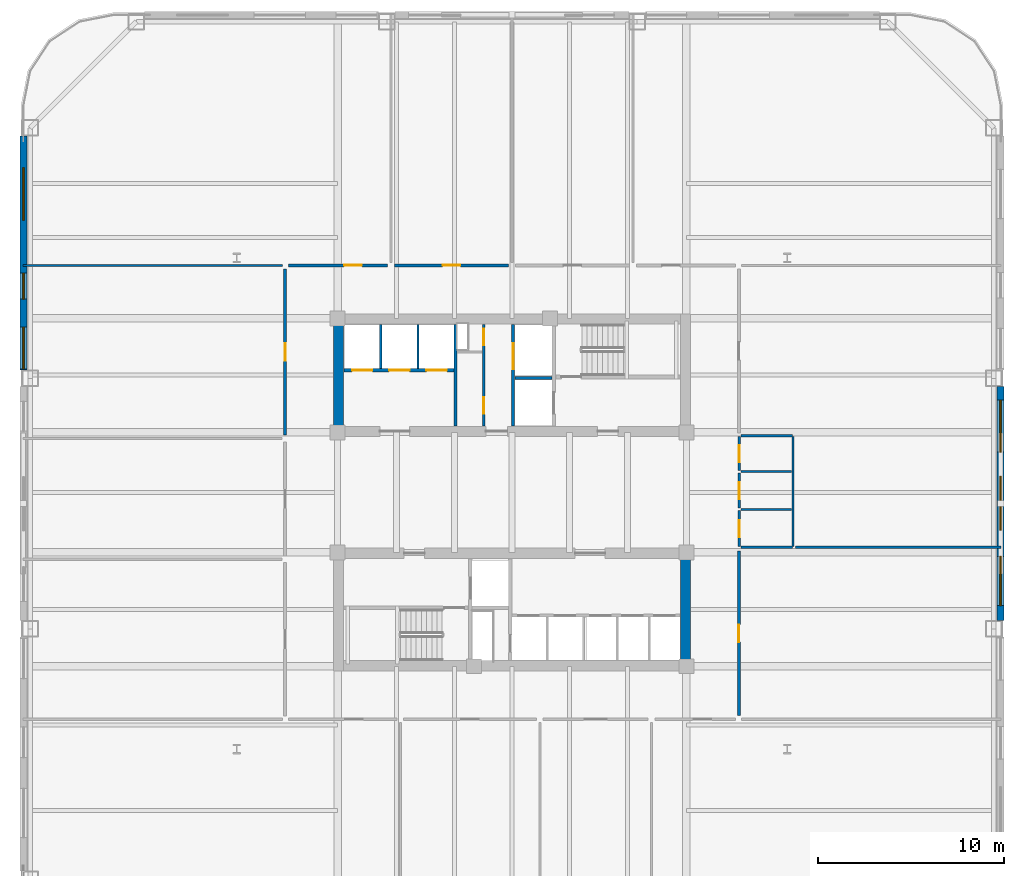
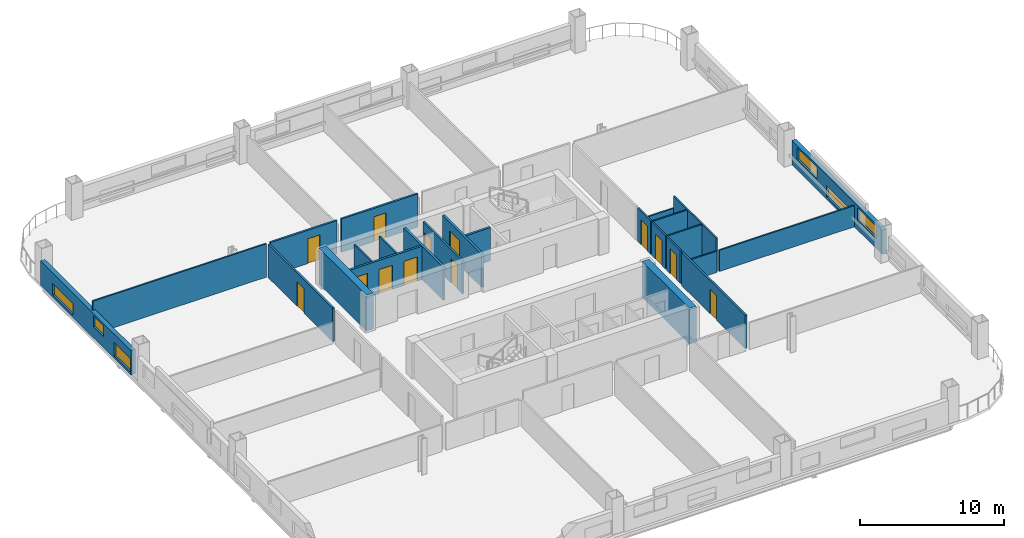
# One storey, part 4 of 12: 25 walls, 13 doors, 6 windows, 19 openings.
"""IFC4 building model written with IfcOpenShell, lengths in metres."""

from ifc_helpers import new_model, si_unit, direction, frame, frame_2d, origin, place, context, subcontext, project, spatial, rectangle, extrude, material, layer, layer_set, type_object, element, fill, save


model = new_model("IFC4")

# Units and contexts
model_context = context("Model", 3, precision=1e-05, world=origin(), true_north=direction((0.0, 1.0)))
body_context = subcontext(model_context, "Body", "Model", "MODEL_VIEW")
ifc_project = project(units=[si_unit("LENGTHUNIT", "METRE"), si_unit("AREAUNIT", "SQUARE_METRE"), si_unit("VOLUMEUNIT", "CUBIC_METRE"), si_unit("PLANEANGLEUNIT", "RADIAN"), si_unit("MASSUNIT", "GRAM", prefix="KILO")], contexts=[model_context])

# Site, building, storey
site_placement = place(None, origin())
site = spatial("IfcSite", under=ifc_project, at=site_placement, CompositionType="ELEMENT")
building_placement = place(site_placement, origin())
building = spatial("IfcBuilding", under=site, at=building_placement, Name="Qhalaya Broadcast Tower", CompositionType="ELEMENT")
storey_placement = place(building_placement, frame((0.0, 0.0, 47.449951171875)))
storey = spatial("IfcBuildingStorey", under=building, at=storey_placement, Name="L13", CompositionType="ELEMENT", Elevation=47.449951171875)

# Wall, openings, doors
ifc_material_1 = material(Name="Gypsum Acoustic Partition")
ifc_layer_1 = layer(ifc_material_1, 0.14990234375, Name="Gypsum Acoustic Partition")
ifc_layer_set_1 = layer_set([ifc_layer_1], Name="Gypsum Acoustic Partition")
wall_type_1 = type_object("IfcWallType", Name="Corridor & Tenancy Acoustic Partition 150", PredefinedType="PARTITIONING", material=ifc_layer_set_1)
wall_1_placement = place(storey_placement, frame((-1.52001953125, 4.169921875, 0.0), z_axis=(0.0, 0.0, 1.0), x_axis=(0.0, 1.0, 0.0)))
wall_1 = element("IfcWall", 1, at=wall_1_placement, inside=storey, type_object=wall_type_1, Name="L13 Partition Wall NCW-SVL", PredefinedType="PARTITIONING", context=body_context, shape_type="SweptSolid", body=[
    extrude(rectangle(XDim=5.4599609375, YDim=0.14990234375, at=frame_2d((2.72998046875, 0.0))), origin(), (0.0, 0.0, 1.0), 2.830078125),
])
opening_1_placement = place(wall_1_placement, frame((4.330078125, 0.0, 0.0)))
opening_1 = element("IfcOpeningElement", 2, at=opening_1_placement, cuts=wall_1, Name="Opening D06", PredefinedType="OPENING", context=body_context, shape_type="SweptSolid", body=[
    extrude(rectangle(XDim=0.89990234375, YDim=2.050048828125, at=frame_2d((0.449951171875, 1.02490234375))), frame((0.0, 0.0869140625, 0.0), z_axis=(0.0, -1.0, 0.0), x_axis=(1.0, 0.0, 0.0)), (0.0, 0.0, 1.0), 0.173828125),
])
opening_2_placement = place(wall_1_placement, frame((0.64990234375, 0.0, 0.0)))
opening_2 = element("IfcOpeningElement", 3, at=opening_2_placement, cuts=wall_1, Name="Opening D06", PredefinedType="OPENING", context=body_context, shape_type="SweptSolid", body=[
    extrude(rectangle(XDim=0.89990234375, YDim=2.050048828125, at=frame_2d((0.449951171875, 1.02490234375))), frame((0.0, 0.0869140625, 0.0), z_axis=(0.0, -1.0, 0.0), x_axis=(1.0, 0.0, 0.0)), (0.0, 0.0, 1.0), 0.173828125),
])
ifc_material_2 = material(Name="Fire-Rated Steel Door", Category="steel")
door_type_1 = type_object("IfcDoorType", Name="Riser & Electrical Shaft Access Door D06", OperationType="NOTDEFINED", PredefinedType="DOOR", material=ifc_material_2)
door_1_placement = place(opening_1_placement, origin())
door_1 = element("IfcDoor", 4, at=door_1_placement, inside=storey, type_object=door_type_1, Name="L13 Riser Shaft Access Door D-NRSR", OperationType="SINGLE_SWING_RIGHT", OverallHeight=2.050048828125, OverallWidth=0.89990234375, PredefinedType="DOOR", context=body_context, shape_type="SweptSolid", body=[
    extrude(rectangle(XDim=0.89990234375, YDim=2.050048828125, at=frame_2d((0.449951171875, 1.02490234375))), frame((0.0, 0.02490234375, 0.0), z_axis=(0.0, -1.0, 0.0), x_axis=(1.0, 0.0, 0.0)), (0.0, 0.0, 1.0), 0.050048828125),
])
fill(opening_1, door_1)
door_2_placement = place(opening_2_placement, origin())
door_2 = element("IfcDoor", 5, at=door_2_placement, inside=storey, type_object=door_type_1, Name="L13 Door D-NCST", OperationType="SINGLE_SWING_LEFT", OverallHeight=2.050048828125, OverallWidth=0.89990234375, PredefinedType="DOOR", context=body_context, shape_type="SweptSolid", body=[
    extrude(rectangle(XDim=0.89990234375, YDim=2.050048828125, at=frame_2d((0.449951171875, 1.02490234375))), frame((0.0, 0.02490234375, 0.0), z_axis=(0.0, -1.0, 0.0), x_axis=(1.0, 0.0, 0.0)), (0.0, 0.0, 1.0), 0.050048828125),
])
fill(opening_2, door_2)

# Wall, opening, door
wall_2_placement = place(storey_placement, frame((-12.02001953125, 12.800048828125, 0.0), z_axis=(0.0, 0.0, 1.0), x_axis=(1.0, 0.0, 0.0)))
wall_2 = element("IfcWall", 6, at=wall_2_placement, inside=storey, type_object=wall_type_1, Name="L13 Partition Wall W-COR-01", PredefinedType="PARTITIONING", context=body_context, shape_type="SweptSolid", body=[
    extrude(rectangle(XDim=5.340087890625, YDim=0.14990234375, at=frame_2d((2.669921875, 0.0))), origin(), (0.0, 0.0, 1.0), 2.830078125),
])
opening_3_placement = place(wall_2_placement, frame((2.9951171875, 0.0, 0.0)))
opening_3 = element("IfcOpeningElement", 7, at=opening_3_placement, cuts=wall_2, Name="Opening D10", PredefinedType="OPENING", context=body_context, shape_type="SweptSolid", body=[
    extrude(rectangle(XDim=0.949951171875, YDim=2.10009765625, at=frame_2d((0.47509765625, 1.050048828125))), frame((0.0, 0.0869140625, 0.0), z_axis=(0.0, -1.0, 0.0), x_axis=(1.0, 0.0, 0.0)), (0.0, 0.0, 1.0), 0.173828125),
])
ifc_material_3 = material(Name="Timber Veneer Acoustic Door", Category="wood")
door_type_2 = type_object("IfcDoorType", Name="Cellular Office & Edit Booth Door D10", OperationType="NOTDEFINED", PredefinedType="DOOR", material=ifc_material_3)
door_3_placement = place(opening_3_placement, origin())
door_3 = element("IfcDoor", 8, at=door_3_placement, inside=storey, type_object=door_type_2, Name="L13 Door D-RM01", OperationType="SINGLE_SWING_LEFT", OverallHeight=2.10009765625, OverallWidth=0.949951171875, PredefinedType="DOOR", context=body_context, shape_type="SweptSolid", body=[
    extrude(rectangle(XDim=0.949951171875, YDim=2.10009765625, at=frame_2d((0.47509765625, 1.050048828125))), frame((0.0, 0.02490234375, 0.0), z_axis=(0.0, -1.0, 0.0), x_axis=(1.0, 0.0, 0.0)), (0.0, 0.0, 1.0), 0.050048828125),
])
fill(opening_3, door_3)

wall_3_placement = place(storey_placement, frame((-6.320068359375, 12.800048828125, 0.0), z_axis=(0.0, 0.0, 1.0), x_axis=(1.0, 0.0, 0.0)))
wall_3 = element("IfcWall", 9, at=wall_3_placement, inside=storey, type_object=wall_type_1, Name="L13 Partition Wall W-COR-02", PredefinedType="PARTITIONING", context=body_context, shape_type="SweptSolid", body=[
    extrude(rectangle(XDim=6.14013671875, YDim=0.14990234375, at=frame_2d((3.070068359375, 0.0))), origin(), (0.0, 0.0, 1.0), 2.830078125),
])
opening_4_placement = place(wall_3_placement, frame((2.594970703125, 0.0, 0.0)))
opening_4 = element("IfcOpeningElement", 10, at=opening_4_placement, cuts=wall_3, Name="Opening D10", PredefinedType="OPENING", context=body_context, shape_type="SweptSolid", body=[
    extrude(rectangle(XDim=0.949951171875, YDim=2.10009765625, at=frame_2d((0.47509765625, 1.050048828125))), frame((0.0, 0.0869140625, 0.0), z_axis=(0.0, -1.0, 0.0), x_axis=(1.0, 0.0, 0.0)), (0.0, 0.0, 1.0), 0.173828125),
])
door_4_placement = place(opening_4_placement, origin())
door_4 = element("IfcDoor", 11, at=door_4_placement, inside=storey, type_object=door_type_2, Name="L13 Door D-RM02", OperationType="SINGLE_SWING_RIGHT", OverallHeight=2.10009765625, OverallWidth=0.949951171875, PredefinedType="DOOR", context=body_context, shape_type="SweptSolid", body=[
    extrude(rectangle(XDim=0.949951171875, YDim=2.10009765625, at=frame_2d((0.47509765625, 1.050048828125))), frame((0.0, 0.02490234375, 0.0), z_axis=(0.0, -1.0, 0.0), x_axis=(1.0, 0.0, 0.0)), (0.0, 0.0, 1.0), 0.050048828125),
])
fill(opening_4, door_4)

wall_4_placement = place(storey_placement, frame((-12.199951171875, 3.679931640625, 0.0), z_axis=(0.0, 0.0, 1.0), x_axis=(0.0, 1.0, 0.0)))
wall_4 = element("IfcWall", 12, at=wall_4_placement, inside=storey, type_object=wall_type_1, Name="L13 Partition Wall W-COR-11", PredefinedType="PARTITIONING", context=body_context, shape_type="SweptSolid", body=[
    extrude(rectangle(XDim=8.940185546875, YDim=0.14990234375, at=frame_2d((4.47021484375, 0.0))), origin(), (0.0, 0.0, 1.0), 2.830078125),
])
opening_5_placement = place(wall_4_placement, frame((3.9951171875, 0.0, 0.0)))
opening_5 = element("IfcOpeningElement", 13, at=opening_5_placement, cuts=wall_4, Name="Opening D10", PredefinedType="OPENING", context=body_context, shape_type="SweptSolid", body=[
    extrude(rectangle(XDim=0.949951171875, YDim=2.10009765625, at=frame_2d((0.47509765625, 1.050048828125))), frame((0.0, 0.0869140625, 0.0), z_axis=(0.0, -1.0, 0.0), x_axis=(1.0, 0.0, 0.0)), (0.0, 0.0, 1.0), 0.173828125),
])
door_5_placement = place(opening_5_placement, origin())
door_5 = element("IfcDoor", 14, at=door_5_placement, inside=storey, type_object=door_type_2, Name="L13 Door D-RM11", OperationType="SINGLE_SWING_LEFT", OverallHeight=2.10009765625, OverallWidth=0.949951171875, PredefinedType="DOOR", context=body_context, shape_type="SweptSolid", body=[
    extrude(rectangle(XDim=0.949951171875, YDim=2.10009765625, at=frame_2d((0.47509765625, 1.050048828125))), frame((0.0, 0.02490234375, 0.0), z_axis=(0.0, -1.0, 0.0), x_axis=(1.0, 0.0, 0.0)), (0.0, 0.0, 1.0), 0.050048828125),
])
fill(opening_5, door_5)

wall_5_placement = place(storey_placement, frame((12.199951171875, -11.39990234375, 0.0), z_axis=(0.0, 0.0, 1.0), x_axis=(0.0, 1.0, 0.0)))
wall_5 = element("IfcWall", 15, at=wall_5_placement, inside=storey, type_object=wall_type_1, Name="L13 Partition Wall W-COR-12", PredefinedType="PARTITIONING", context=body_context, shape_type="SweptSolid", body=[
    extrude(rectangle(XDim=8.83984375, YDim=0.14990234375, at=frame_2d((4.419921875, 0.0))), origin(), (0.0, 0.0, 1.0), 2.830078125),
])
opening_6_placement = place(wall_5_placement, frame((3.945068359375, 0.0, 0.0)))
opening_6 = element("IfcOpeningElement", 16, at=opening_6_placement, cuts=wall_5, Name="Opening D10", PredefinedType="OPENING", context=body_context, shape_type="SweptSolid", body=[
    extrude(rectangle(XDim=0.949951171875, YDim=2.10009765625, at=frame_2d((0.47509765625, 1.050048828125))), frame((0.0, 0.0869140625, 0.0), z_axis=(0.0, -1.0, 0.0), x_axis=(1.0, 0.0, 0.0)), (0.0, 0.0, 1.0), 0.173828125),
])
door_6_placement = place(opening_6_placement, origin())
door_6 = element("IfcDoor", 17, at=door_6_placement, inside=storey, type_object=door_type_2, Name="L13 Door D-RM12", OperationType="SINGLE_SWING_RIGHT", OverallHeight=2.10009765625, OverallWidth=0.949951171875, PredefinedType="DOOR", context=body_context, shape_type="SweptSolid", body=[
    extrude(rectangle(XDim=0.949951171875, YDim=2.10009765625, at=frame_2d((0.47509765625, 1.050048828125))), frame((0.0, 0.02490234375, 0.0), z_axis=(0.0, -1.0, 0.0), x_axis=(1.0, 0.0, 0.0)), (0.0, 0.0, 1.0), 0.050048828125),
])
fill(opening_6, door_6)

# Wall, openings, windows
ifc_material_4 = material(Name="Precast Concrete C40/50", Category="concrete")
ifc_layer_2 = layer(ifc_material_4, 0.360107421875, Name="Precast Concrete C40/50")
ifc_layer_set_2 = layer_set([ifc_layer_2], Name="Precast Concrete C40/50")
wall_type_2 = type_object("IfcWallType", Name="Insulated Precast Terracotta Exterior Wall 360", PredefinedType="SOLIDWALL", material=ifc_layer_set_2)
wall_6_placement = place(storey_placement, frame((26.260009765625, 6.283203125, 0.0), z_axis=(0.0, 0.0, 1.0), x_axis=(0.0, -1.0, 0.0)))
wall_6 = element("IfcWall", 18, at=wall_6_placement, inside=storey, type_object=wall_type_2, Name="L13 Exoskeleton Diagrid Infill Wall E2", PredefinedType="SOLIDWALL", context=body_context, shape_type="SweptSolid", body=[
    extrude(rectangle(XDim=12.56640625, YDim=0.360107421875, at=frame_2d((6.283203125, 0.0))), origin(), (0.0, 0.0, 1.0), 2.067138671875),
])
opening_7_placement = place(wall_6_placement, frame((0.720947265625, 0.0, 0.89990234375)))
opening_7 = element("IfcOpeningElement", 19, at=opening_7_placement, cuts=wall_6, Name="Opening W11", PredefinedType="OPENING", context=body_context, shape_type="SweptSolid", body=[
    extrude(rectangle(XDim=2.800048828125, YDim=1.0, at=frame_2d((1.39990234375, 0.5))), frame((0.0, 0.192138671875, 0.0), z_axis=(0.0, -1.0, 0.0), x_axis=(1.0, 0.0, 0.0)), (0.0, 0.0, 1.0), 0.384033203125),
])
opening_8_placement = place(wall_6_placement, frame((4.821044921875, 0.0, 0.199951171875)))
opening_8 = element("IfcOpeningElement", 20, at=opening_8_placement, cuts=wall_6, Name="Opening W11", PredefinedType="OPENING", context=body_context, shape_type="SweptSolid", body=[
    extrude(rectangle(XDim=2.89990234375, YDim=0.949951171875, at=frame_2d((1.449951171875, 0.47509765625))), frame((0.0, 0.192138671875, 0.0), z_axis=(0.0, -1.0, 0.0), x_axis=(1.0, 0.0, 0.0)), (0.0, 0.0, 1.0), 0.384033203125),
])
opening_9_placement = place(wall_6_placement, frame((9.12109375, 0.0, 0.85009765625)))
opening_9 = element("IfcOpeningElement", 21, at=opening_9_placement, cuts=wall_6, Name="Opening W11", PredefinedType="OPENING", context=body_context, shape_type="SweptSolid", body=[
    extrude(rectangle(XDim=2.64990234375, YDim=1.050048828125, at=frame_2d((1.324951171875, 0.52490234375))), frame((0.0, 0.192138671875, 0.0), z_axis=(0.0, -1.0, 0.0), x_axis=(1.0, 0.0, 0.0)), (0.0, 0.0, 1.0), 0.384033203125),
])
ifc_material_5 = material(Name="Solar-Control Low-E Triple Glazing", Category="glass")
window_type = type_object("IfcWindowType", Name="Odd-Block Diagrid Infill Window W11", PartitioningType="SINGLE_PANEL", PredefinedType="WINDOW", material=ifc_material_5)
window_1_placement = place(opening_7_placement, origin())
window_1 = element("IfcWindow", 22, at=window_1_placement, inside=storey, type_object=window_type, Name="L13 Diagrid Infill Window W11-E4", OverallHeight=1.0, OverallWidth=2.800048828125, PartitioningType="SINGLE_PANEL", PredefinedType="WINDOW", context=body_context, shape_type="SweptSolid", body=[
    extrude(rectangle(XDim=2.800048828125, YDim=1.0, at=frame_2d((1.39990234375, 0.5))), frame((0.0, 0.030029296875, 0.0), z_axis=(0.0, -1.0, 0.0), x_axis=(1.0, 0.0, 0.0)), (0.0, 0.0, 1.0), 0.06005859375),
])
fill(opening_7, window_1)
window_2_placement = place(opening_8_placement, origin())
window_2 = element("IfcWindow", 23, at=window_2_placement, inside=storey, type_object=window_type, Name="L13 Diagrid Infill Window W11-E5", OverallHeight=0.949951171875, OverallWidth=2.89990234375, PartitioningType="SINGLE_PANEL", PredefinedType="WINDOW", context=body_context, shape_type="SweptSolid", body=[
    extrude(rectangle(XDim=2.89990234375, YDim=0.949951171875, at=frame_2d((1.449951171875, 0.47509765625))), frame((0.0, 0.030029296875, 0.0), z_axis=(0.0, -1.0, 0.0), x_axis=(1.0, 0.0, 0.0)), (0.0, 0.0, 1.0), 0.06005859375),
])
fill(opening_8, window_2)
window_3_placement = place(opening_9_placement, origin())
window_3 = element("IfcWindow", 24, at=window_3_placement, inside=storey, type_object=window_type, Name="L13 Diagrid Infill Window W11-E6", OverallHeight=1.050048828125, OverallWidth=2.64990234375, PartitioningType="SINGLE_PANEL", PredefinedType="WINDOW", context=body_context, shape_type="SweptSolid", body=[
    extrude(rectangle(XDim=2.64990234375, YDim=1.050048828125, at=frame_2d((1.324951171875, 0.52490234375))), frame((0.0, 0.030029296875, 0.0), z_axis=(0.0, -1.0, 0.0), x_axis=(1.0, 0.0, 0.0)), (0.0, 0.0, 1.0), 0.06005859375),
])
fill(opening_9, window_3)

wall_7_placement = place(storey_placement, frame((-26.260009765625, 7.183349609375, 0.0), z_axis=(0.0, 0.0, 1.0), x_axis=(0.0, 1.0, 0.0)))
wall_7 = element("IfcWall", 25, at=wall_7_placement, inside=storey, type_object=wall_type_2, Name="L13 Exoskeleton Diagrid Infill Wall W3", PredefinedType="SOLIDWALL", context=body_context, shape_type="SweptSolid", body=[
    extrude(rectangle(XDim=12.57861328125, YDim=0.360107421875, at=frame_2d((6.289306640625, 0.0))), origin(), (0.0, 0.0, 1.0), 2.067138671875),
])
opening_10_placement = place(wall_7_placement, frame((0.054931640625, 0.0, 0.199951171875)))
opening_10 = element("IfcOpeningElement", 26, at=opening_10_placement, cuts=wall_7, Name="Opening W11", PredefinedType="OPENING", context=body_context, shape_type="SweptSolid", body=[
    extrude(rectangle(XDim=2.25, YDim=1.14990234375, at=frame_2d((1.125, 0.574951171875))), frame((0.0, 0.192138671875, 0.0), z_axis=(0.0, -1.0, 0.0), x_axis=(1.0, 0.0, 0.0)), (0.0, 0.0, 1.0), 0.384033203125),
])
opening_11_placement = place(wall_7_placement, frame((3.804931640625, 0.0, 0.949951171875)))
opening_11 = element("IfcOpeningElement", 27, at=opening_11_placement, cuts=wall_7, Name="Opening W11", PredefinedType="OPENING", context=body_context, shape_type="SweptSolid", body=[
    extrude(rectangle(XDim=1.39990234375, YDim=0.949951171875, at=frame_2d((0.699951171875, 0.47509765625))), frame((0.0, 0.192138671875, 0.0), z_axis=(0.0, -1.0, 0.0), x_axis=(1.0, 0.0, 0.0)), (0.0, 0.0, 1.0), 0.384033203125),
])
opening_12_placement = place(wall_7_placement, frame((8.054931640625, 0.0, 0.199951171875)))
opening_12 = element("IfcOpeningElement", 28, at=opening_12_placement, cuts=wall_7, Name="Opening W11", PredefinedType="OPENING", context=body_context, shape_type="SweptSolid", body=[
    extrude(rectangle(XDim=2.800048828125, YDim=1.0, at=frame_2d((1.39990234375, 0.5))), frame((0.0, 0.192138671875, 0.0), z_axis=(0.0, -1.0, 0.0), x_axis=(1.0, 0.0, 0.0)), (0.0, 0.0, 1.0), 0.384033203125),
])
window_4_placement = place(opening_10_placement, origin())
window_4 = element("IfcWindow", 29, at=window_4_placement, inside=storey, type_object=window_type, Name="L13 Diagrid Infill Window W11-W7", OverallHeight=1.14990234375, OverallWidth=2.25, PartitioningType="SINGLE_PANEL", PredefinedType="WINDOW", context=body_context, shape_type="SweptSolid", body=[
    extrude(rectangle(XDim=2.25, YDim=1.14990234375, at=frame_2d((1.125, 0.574951171875))), frame((0.0, 0.030029296875, 0.0), z_axis=(0.0, -1.0, 0.0), x_axis=(1.0, 0.0, 0.0)), (0.0, 0.0, 1.0), 0.06005859375),
])
fill(opening_10, window_4)
window_5_placement = place(opening_11_placement, origin())
window_5 = element("IfcWindow", 30, at=window_5_placement, inside=storey, type_object=window_type, Name="L13 Diagrid Infill Window W11-W8", OverallHeight=0.949951171875, OverallWidth=1.39990234375, PartitioningType="SINGLE_PANEL", PredefinedType="WINDOW", context=body_context, shape_type="SweptSolid", body=[
    extrude(rectangle(XDim=1.39990234375, YDim=0.949951171875, at=frame_2d((0.699951171875, 0.47509765625))), frame((0.0, 0.030029296875, 0.0), z_axis=(0.0, -1.0, 0.0), x_axis=(1.0, 0.0, 0.0)), (0.0, 0.0, 1.0), 0.06005859375),
])
fill(opening_11, window_5)
window_6_placement = place(opening_12_placement, origin())
window_6 = element("IfcWindow", 31, at=window_6_placement, inside=storey, type_object=window_type, Name="L13 Diagrid Infill Window W11-W9", OverallHeight=1.0, OverallWidth=2.800048828125, PartitioningType="SINGLE_PANEL", PredefinedType="WINDOW", context=body_context, shape_type="SweptSolid", body=[
    extrude(rectangle(XDim=2.800048828125, YDim=1.0, at=frame_2d((1.39990234375, 0.5))), frame((0.0, 0.030029296875, 0.0), z_axis=(0.0, -1.0, 0.0), x_axis=(1.0, 0.0, 0.0)), (0.0, 0.0, 1.0), 0.06005859375),
])
fill(opening_12, window_6)

# Walls
ifc_material_6 = material(Name="Concrete C60/75", Category="concrete")
ifc_layer_3 = layer(ifc_material_6, 0.550048828125, Name="Concrete C60/75")
ifc_layer_set_3 = layer_set([ifc_layer_3], Name="Concrete C60/75")
wall_type_3 = type_object("IfcWallType", Name="Lower Split-Core Shear Wall 550", PredefinedType="SHEAR", material=ifc_layer_set_3)
wall_8_placement = place(storey_placement, frame((-9.324951171875, 3.60009765625, 0.0), z_axis=(0.0, 0.0, 1.0), x_axis=(0.0, 1.0, 0.0)))
element("IfcWall", 32, at=wall_8_placement, inside=storey, type_object=wall_type_3, Name="L13 Split-Core Shear Wall CW-NW", PredefinedType="SHEAR", context=body_context, shape_type="SweptSolid", body=[
    extrude(rectangle(XDim=6.599853515625, YDim=0.550048828125, at=frame_2d((3.2998046875, 0.0))), origin(), (0.0, 0.0, 1.0), 3.050048828125),
])
wall_9_placement = place(storey_placement, frame((9.324951171875, -9.0, 0.0), z_axis=(0.0, 0.0, 1.0), x_axis=(0.0, 1.0, 0.0)))
element("IfcWall", 33, at=wall_9_placement, inside=storey, type_object=wall_type_3, Name="L13 Split-Core Shear Wall CW-SE", PredefinedType="SHEAR", context=body_context, shape_type="SweptSolid", body=[
    extrude(rectangle(XDim=6.60009765625, YDim=0.550048828125, at=frame_2d((3.300048828125, 0.0))), origin(), (0.0, 0.0, 1.0), 3.050048828125),
])
ifc_layer_4 = layer(ifc_material_1, 0.1201171875, Name="Gypsum Acoustic Partition")
ifc_layer_set_4 = layer_set([ifc_layer_4], Name="Gypsum Acoustic Partition")
wall_type_4 = type_object("IfcWallType", Name="Office, Booth & Sanitary Partition 120", PredefinedType="PARTITIONING", material=ifc_layer_set_4)
for number, where, z_axis, x_axis, name in (
    (34, (-7.06005859375, 7.25, 0.0), (0.0, 0.0, 1.0), (0.0, 1.0, 0.0), "L13 Partition Wall NCW-PD1"),
    (35, (-5.06005859375, 7.25, 0.0), (0.0, 0.0, 1.0), (0.0, 1.0, 0.0), "L13 Partition Wall NCW-PD2"),
):
    element("IfcWall", number, at=place(storey_placement, frame(where, z_axis=z_axis, x_axis=x_axis)), inside=storey, type_object=wall_type_4, Name=name, PredefinedType="PARTITIONING", context=body_context, shape_type="SweptSolid", body=[
        extrude(rectangle(XDim=2.3798828125, YDim=0.1201171875, at=frame_2d((1.18994140625, 0.0))), origin(), (0.0, 0.0, 1.0), 2.830078125),
    ])

# Wall, opening, door
wall_10_placement = place(storey_placement, frame((12.219970703125, -2.320068359375, 0.0), z_axis=(0.0, 0.0, 1.0), x_axis=(0.0, 1.0, 0.0)))
wall_10 = element("IfcWall", 36, at=wall_10_placement, inside=storey, type_object=wall_type_4, Name="L13 Partition Wall W-WCWA", PredefinedType="PARTITIONING", context=body_context, shape_type="SweptSolid", body=[
    extrude(rectangle(XDim=1.940185546875, YDim=0.1201171875, at=frame_2d((0.97021484375, 0.0))), origin(), (0.0, 0.0, 1.0), 2.830078125),
])
opening_13_placement = place(wall_10_placement, frame((0.4951171875, 0.0, 0.0)))
opening_13 = element("IfcOpeningElement", 37, at=opening_13_placement, cuts=wall_10, Name="Opening D12", PredefinedType="OPENING", context=body_context, shape_type="SweptSolid", body=[
    extrude(rectangle(XDim=0.919921875, YDim=2.10009765625, at=frame_2d((0.4599609375, 1.050048828125))), frame((0.0, 0.072021484375, 0.0), z_axis=(0.0, -1.0, 0.0), x_axis=(1.0, 0.0, 0.0)), (0.0, 0.0, 1.0), 0.14404296875),
])
door_type_3 = type_object("IfcDoorType", Name="Accessible WC & Restroom Door D12", OperationType="NOTDEFINED", PredefinedType="DOOR", material=ifc_material_3)
door_7_placement = place(opening_13_placement, origin())
door_7 = element("IfcDoor", 38, at=door_7_placement, inside=storey, type_object=door_type_3, Name="L13 Door D-WCA", OperationType="SINGLE_SWING_LEFT", OverallHeight=2.10009765625, OverallWidth=0.919921875, PredefinedType="DOOR", context=body_context, shape_type="SweptSolid", body=[
    extrude(rectangle(XDim=0.919921875, YDim=2.10009765625, at=frame_2d((0.4599609375, 1.050048828125))), frame((0.0, 0.02490234375, 0.0), z_axis=(0.0, -1.0, 0.0), x_axis=(1.0, 0.0, 0.0)), (0.0, 0.0, 1.0), 0.050048828125),
])
fill(opening_13, door_7)

wall_11_placement = place(storey_placement, frame((12.219970703125, -0.25, 0.0), z_axis=(0.0, 0.0, 1.0), x_axis=(0.0, 1.0, 0.0)))
wall_11 = element("IfcWall", 39, at=wall_11_placement, inside=storey, type_object=wall_type_4, Name="L13 Partition Wall W-WCWM", PredefinedType="PARTITIONING", context=body_context, shape_type="SweptSolid", body=[
    extrude(rectangle(XDim=1.89990234375, YDim=0.1201171875, at=frame_2d((0.949951171875, 0.0))), origin(), (0.0, 0.0, 1.0), 2.830078125),
])
opening_14_placement = place(wall_11_placement, frame((0.47509765625, 0.0, 0.0)))
opening_14 = element("IfcOpeningElement", 40, at=opening_14_placement, cuts=wall_11, Name="Opening D12", PredefinedType="OPENING", context=body_context, shape_type="SweptSolid", body=[
    extrude(rectangle(XDim=0.919921875, YDim=2.10009765625, at=frame_2d((0.4599609375, 1.050048828125))), frame((0.0, 0.072021484375, 0.0), z_axis=(0.0, -1.0, 0.0), x_axis=(1.0, 0.0, 0.0)), (0.0, 0.0, 1.0), 0.14404296875),
])
door_8_placement = place(opening_14_placement, origin())
door_8 = element("IfcDoor", 41, at=door_8_placement, inside=storey, type_object=door_type_3, Name="L13 Door D-WCM", OperationType="SINGLE_SWING_RIGHT", OverallHeight=2.10009765625, OverallWidth=0.919921875, PredefinedType="DOOR", context=body_context, shape_type="SweptSolid", body=[
    extrude(rectangle(XDim=0.919921875, YDim=2.10009765625, at=frame_2d((0.4599609375, 1.050048828125))), frame((0.0, 0.02490234375, 0.0), z_axis=(0.0, -1.0, 0.0), x_axis=(1.0, 0.0, 0.0)), (0.0, 0.0, 1.0), 0.050048828125),
])
fill(opening_14, door_8)

wall_12_placement = place(storey_placement, frame((12.219970703125, 1.780029296875, 0.0), z_axis=(0.0, 0.0, 1.0), x_axis=(0.0, 1.0, 0.0)))
wall_12 = element("IfcWall", 42, at=wall_12_placement, inside=storey, type_object=wall_type_4, Name="L13 Partition Wall W-WCWF", PredefinedType="PARTITIONING", context=body_context, shape_type="SweptSolid", body=[
    extrude(rectangle(XDim=1.830078125, YDim=0.1201171875, at=frame_2d((0.9150390625, 0.0))), origin(), (0.0, 0.0, 1.0), 2.830078125),
])
opening_15_placement = place(wall_12_placement, frame((0.43994140625, 0.0, 0.0)))
opening_15 = element("IfcOpeningElement", 43, at=opening_15_placement, cuts=wall_12, Name="Opening D12", PredefinedType="OPENING", context=body_context, shape_type="SweptSolid", body=[
    extrude(rectangle(XDim=0.919921875, YDim=2.10009765625, at=frame_2d((0.4599609375, 1.050048828125))), frame((0.0, 0.072021484375, 0.0), z_axis=(0.0, -1.0, 0.0), x_axis=(1.0, 0.0, 0.0)), (0.0, 0.0, 1.0), 0.14404296875),
])
door_9_placement = place(opening_15_placement, origin())
door_9 = element("IfcDoor", 44, at=door_9_placement, inside=storey, type_object=door_type_3, Name="L13 Door D-WCF", OperationType="SINGLE_SWING_LEFT", OverallHeight=2.10009765625, OverallWidth=0.919921875, PredefinedType="DOOR", context=body_context, shape_type="SweptSolid", body=[
    extrude(rectangle(XDim=0.919921875, YDim=2.10009765625, at=frame_2d((0.4599609375, 1.050048828125))), frame((0.0, 0.02490234375, 0.0), z_axis=(0.0, -1.0, 0.0), x_axis=(1.0, 0.0, 0.0)), (0.0, 0.0, 1.0), 0.050048828125),
])
fill(opening_15, door_9)

# Walls
wall_13_placement = place(storey_placement, frame((15.10009765625, -2.320068359375, 0.0), z_axis=(0.0, 0.0, 1.0), x_axis=(0.0, 1.0, 0.0)))
element("IfcWall", 45, at=wall_13_placement, inside=storey, type_object=wall_type_4, Name="L13 Partition Wall W-WCE", PredefinedType="PARTITIONING", context=body_context, shape_type="SweptSolid", body=[
    extrude(rectangle(XDim=5.93017578125, YDim=0.1201171875, at=frame_2d((2.965087890625, 0.0))), origin(), (0.0, 0.0, 1.0), 2.830078125),
])
for number, where, z_axis, x_axis, name in (
    (46, (12.31005859375, -2.35009765625, 0.0), (0.0, 0.0, 1.0), (1.0, 0.0, 0.0), "L13 Partition Wall W-WCS"),
    (47, (12.31005859375, 3.639892578125, 0.0), (0.0, 0.0, 1.0), (1.0, 0.0, 0.0), "L13 Partition Wall W-WCN"),
):
    element("IfcWall", number, at=place(storey_placement, frame(where, z_axis=z_axis, x_axis=x_axis)), inside=storey, type_object=wall_type_4, Name=name, PredefinedType="PARTITIONING", context=body_context, shape_type="SweptSolid", body=[
        extrude(rectangle(XDim=2.760009765625, YDim=0.1201171875, at=frame_2d((1.3798828125, 0.0))), origin(), (0.0, 0.0, 1.0), 1.799072265625),
    ])
for number, where, z_axis, x_axis, name in (
    (48, (12.31005859375, -0.320068359375, 0.0), (0.0, 0.0, 1.0), (1.0, 0.0, 0.0), "L13 Partition Wall W-WCD1"),
    (49, (12.31005859375, 1.719970703125, 0.0), (0.0, 0.0, 1.0), (1.0, 0.0, 0.0), "L13 Partition Wall W-WCD2"),
):
    element("IfcWall", number, at=place(storey_placement, frame(where, z_axis=z_axis, x_axis=x_axis)), inside=storey, type_object=wall_type_4, Name=name, PredefinedType="PARTITIONING", context=body_context, shape_type="SweptSolid", body=[
        extrude(rectangle(XDim=2.719970703125, YDim=0.1201171875, at=frame_2d((1.35986328125, 0.0))), origin(), (0.0, 0.0, 1.0), 2.830078125),
    ])
wall_14_placement = place(storey_placement, frame((-26.280029296875, 12.800048828125, 0.0), z_axis=(0.0, 0.0, 1.0), x_axis=(1.0, 0.0, 0.0)))
element("IfcWall", 50, at=wall_14_placement, inside=storey, type_object=wall_type_4, Name="L13 Partition Wall W-BNDW1", PredefinedType="PARTITIONING", context=body_context, shape_type="SweptSolid", body=[
    extrude(rectangle(XDim=13.93994140625, YDim=0.1201171875, at=frame_2d((6.969970703125, 0.0))), origin(), (0.0, 0.0, 1.0), 2.830078125),
])
wall_15_placement = place(storey_placement, frame((15.239990234375, -2.35009765625, 0.0), z_axis=(0.0, 0.0, 1.0), x_axis=(1.0, 0.0, 0.0)))
element("IfcWall", 51, at=wall_15_placement, inside=storey, type_object=wall_type_4, Name="L13 Partition Wall W-DIVE-WC", PredefinedType="PARTITIONING", context=body_context, shape_type="SweptSolid", body=[
    extrude(rectangle(XDim=11.0400390625, YDim=0.1201171875, at=frame_2d((5.52001953125, 0.0))), origin(), (0.0, 0.0, 1.0), 1.799072265625),
])

# Wall, opening, door
ifc_layer_5 = layer(ifc_material_1, 0.175048828125, Name="Gypsum Acoustic Partition")
ifc_layer_set_5 = layer_set([ifc_layer_5], Name="Gypsum Acoustic Partition")
wall_type_5 = type_object("IfcWallType", Name="Shaft & Riser Fire Partition 175", PredefinedType="PARTITIONING", material=ifc_layer_set_5)
wall_16_placement = place(storey_placement, frame((0.06005859375, 4.169921875, 0.0), z_axis=(0.0, 0.0, 1.0), x_axis=(0.0, 1.0, 0.0)))
wall_16 = element("IfcWall", 52, at=wall_16_placement, inside=storey, type_object=wall_type_5, Name="L13 Partition Wall NCW-SVW", PredefinedType="PARTITIONING", context=body_context, shape_type="SweptSolid", body=[
    extrude(rectangle(XDim=5.4599609375, YDim=0.175048828125, at=frame_2d((2.72998046875, 0.0))), origin(), (0.0, 0.0, 1.0), 2.830078125),
])
opening_16_placement = place(wall_16_placement, frame((3.050048828125, 0.0, 0.0)))
opening_16 = element("IfcOpeningElement", 53, at=opening_16_placement, cuts=wall_16, Name="Opening LD3", PredefinedType="OPENING", context=body_context, shape_type="SweptSolid", body=[
    extrude(rectangle(XDim=1.39990234375, YDim=2.1201171875, at=frame_2d((0.699951171875, 1.06005859375))), frame((0.0, 0.099609375, 0.0), z_axis=(0.0, -1.0, 0.0), x_axis=(1.0, 0.0, 0.0)), (0.0, 0.0, 1.0), 0.198974609375),
])
ifc_material_7 = material(Name="Brushed Stainless Steel Lift Door", Category="steel")
door_type_4 = type_object("IfcDoorType", Name="Service Lift Wide Sliding Landing Door LD3", OperationType="DOUBLE_DOOR_SLIDING", PredefinedType="DOOR", material=ifc_material_7)
door_10_placement = place(opening_16_placement, origin())
door_10 = element("IfcDoor", 54, at=door_10_placement, inside=storey, type_object=door_type_4, Name="L13 Door LD-SV1", OperationType="DOUBLE_DOOR_SLIDING", OverallHeight=2.1201171875, OverallWidth=1.39990234375, PredefinedType="DOOR", context=body_context, shape_type="SweptSolid", body=[
    extrude(rectangle(XDim=1.39990234375, YDim=2.1201171875, at=frame_2d((0.699951171875, 1.06005859375))), frame((0.0, 0.02490234375, 0.0), z_axis=(0.0, -1.0, 0.0), x_axis=(1.0, 0.0, 0.0)), (0.0, 0.0, 1.0), 0.050048828125),
])
fill(opening_16, door_10)

# Walls
wall_17_placement = place(storey_placement, frame((0.159912109375, 6.75, 0.0), z_axis=(0.0, 0.0, 1.0), x_axis=(1.0, 0.0, 0.0)))
element("IfcWall", 55, at=wall_17_placement, inside=storey, type_object=wall_type_5, Name="L13 Partition Wall NCW-SVM", PredefinedType="PARTITIONING", context=body_context, shape_type="SweptSolid", body=[
    extrude(rectangle(XDim=1.97998046875, YDim=0.175048828125, at=frame_2d((0.989990234375, 0.0))), origin(), (0.0, 0.0, 1.0), 2.830078125),
])
wall_18_placement = place(storey_placement, frame((-3.0400390625, 4.169921875, 0.0), z_axis=(0.0, 0.0, 1.0), x_axis=(0.0, 1.0, 0.0)))
element("IfcWall", 56, at=wall_18_placement, inside=storey, type_object=wall_type_5, Name="L13 Partition Wall NCW-VRW", PredefinedType="PARTITIONING", context=body_context, shape_type="SweptSolid", body=[
    extrude(rectangle(XDim=5.4599609375, YDim=0.175048828125, at=frame_2d((2.72998046875, 0.0))), origin(), (0.0, 0.0, 1.0), 2.830078125),
])

# Wall, openings, doors
wall_19_placement = place(storey_placement, frame((-9.030029296875, 7.159912109375, 0.0), z_axis=(0.0, 0.0, 1.0), x_axis=(1.0, 0.0, 0.0)))
wall_19 = element("IfcWall", 57, at=wall_19_placement, inside=storey, type_object=wall_type_5, Name="L13 Partition Wall NCW-PLB", PredefinedType="PARTITIONING", context=body_context, shape_type="SweptSolid", body=[
    extrude(rectangle(XDim=5.909912109375, YDim=0.175048828125, at=frame_2d((2.955078125, 0.0))), origin(), (0.0, 0.0, 1.0), 2.830078125),
])
opening_17_placement = place(wall_19_placement, frame((0.429931640625, 0.0, 0.0)))
opening_17 = element("IfcOpeningElement", 58, at=opening_17_placement, cuts=wall_19, Name="Opening LD1", PredefinedType="OPENING", context=body_context, shape_type="SweptSolid", body=[
    extrude(rectangle(XDim=1.10009765625, YDim=2.06005859375, at=frame_2d((0.550048828125, 1.030029296875))), frame((0.0, 0.099609375, 0.0), z_axis=(0.0, -1.0, 0.0), x_axis=(1.0, 0.0, 0.0)), (0.0, 0.0, 1.0), 0.198974609375),
])
opening_18_placement = place(wall_19_placement, frame((2.429931640625, 0.0, 0.0)))
opening_18 = element("IfcOpeningElement", 59, at=opening_18_placement, cuts=wall_19, Name="Opening LD1", PredefinedType="OPENING", context=body_context, shape_type="SweptSolid", body=[
    extrude(rectangle(XDim=1.10009765625, YDim=2.06005859375, at=frame_2d((0.550048828125, 1.030029296875))), frame((0.0, 0.099609375, 0.0), z_axis=(0.0, -1.0, 0.0), x_axis=(1.0, 0.0, 0.0)), (0.0, 0.0, 1.0), 0.198974609375),
])
opening_19_placement = place(wall_19_placement, frame((4.429931640625, 0.0, 0.0)))
opening_19 = element("IfcOpeningElement", 60, at=opening_19_placement, cuts=wall_19, Name="Opening LD1", PredefinedType="OPENING", context=body_context, shape_type="SweptSolid", body=[
    extrude(rectangle(XDim=1.10009765625, YDim=2.06005859375, at=frame_2d((0.550048828125, 1.030029296875))), frame((0.0, 0.099609375, 0.0), z_axis=(0.0, -1.0, 0.0), x_axis=(1.0, 0.0, 0.0)), (0.0, 0.0, 1.0), 0.198974609375),
])
door_type_5 = type_object("IfcDoorType", Name="Passenger Lift Sliding Landing Door LD1", OperationType="DOUBLE_DOOR_SLIDING", PredefinedType="DOOR", material=ifc_material_7)
door_11_placement = place(opening_17_placement, origin())
door_11 = element("IfcDoor", 61, at=door_11_placement, inside=storey, type_object=door_type_5, Name="L13 Door LD-P1", OperationType="DOUBLE_DOOR_SLIDING", OverallHeight=2.06005859375, OverallWidth=1.10009765625, PredefinedType="DOOR", context=body_context, shape_type="SweptSolid", body=[
    extrude(rectangle(XDim=1.10009765625, YDim=2.06005859375, at=frame_2d((0.550048828125, 1.030029296875))), frame((0.0, 0.02490234375, 0.0), z_axis=(0.0, -1.0, 0.0), x_axis=(1.0, 0.0, 0.0)), (0.0, 0.0, 1.0), 0.050048828125),
])
fill(opening_17, door_11)
door_12_placement = place(opening_18_placement, origin())
door_12 = element("IfcDoor", 62, at=door_12_placement, inside=storey, type_object=door_type_5, Name="L13 Door LD-P2", OperationType="DOUBLE_DOOR_SLIDING", OverallHeight=2.06005859375, OverallWidth=1.10009765625, PredefinedType="DOOR", context=body_context, shape_type="SweptSolid", body=[
    extrude(rectangle(XDim=1.10009765625, YDim=2.06005859375, at=frame_2d((0.550048828125, 1.030029296875))), frame((0.0, 0.02490234375, 0.0), z_axis=(0.0, -1.0, 0.0), x_axis=(1.0, 0.0, 0.0)), (0.0, 0.0, 1.0), 0.050048828125),
])
fill(opening_18, door_12)
door_13_placement = place(opening_19_placement, origin())
door_13 = element("IfcDoor", 63, at=door_13_placement, inside=storey, type_object=door_type_5, Name="L13 Door LD-P3", OperationType="DOUBLE_DOOR_SLIDING", OverallHeight=2.06005859375, OverallWidth=1.10009765625, PredefinedType="DOOR", context=body_context, shape_type="SweptSolid", body=[
    extrude(rectangle(XDim=1.10009765625, YDim=2.06005859375, at=frame_2d((0.550048828125, 1.030029296875))), frame((0.0, 0.02490234375, 0.0), z_axis=(0.0, -1.0, 0.0), x_axis=(1.0, 0.0, 0.0)), (0.0, 0.0, 1.0), 0.050048828125),
])
fill(opening_19, door_13)

save(model, "model.ifc")
